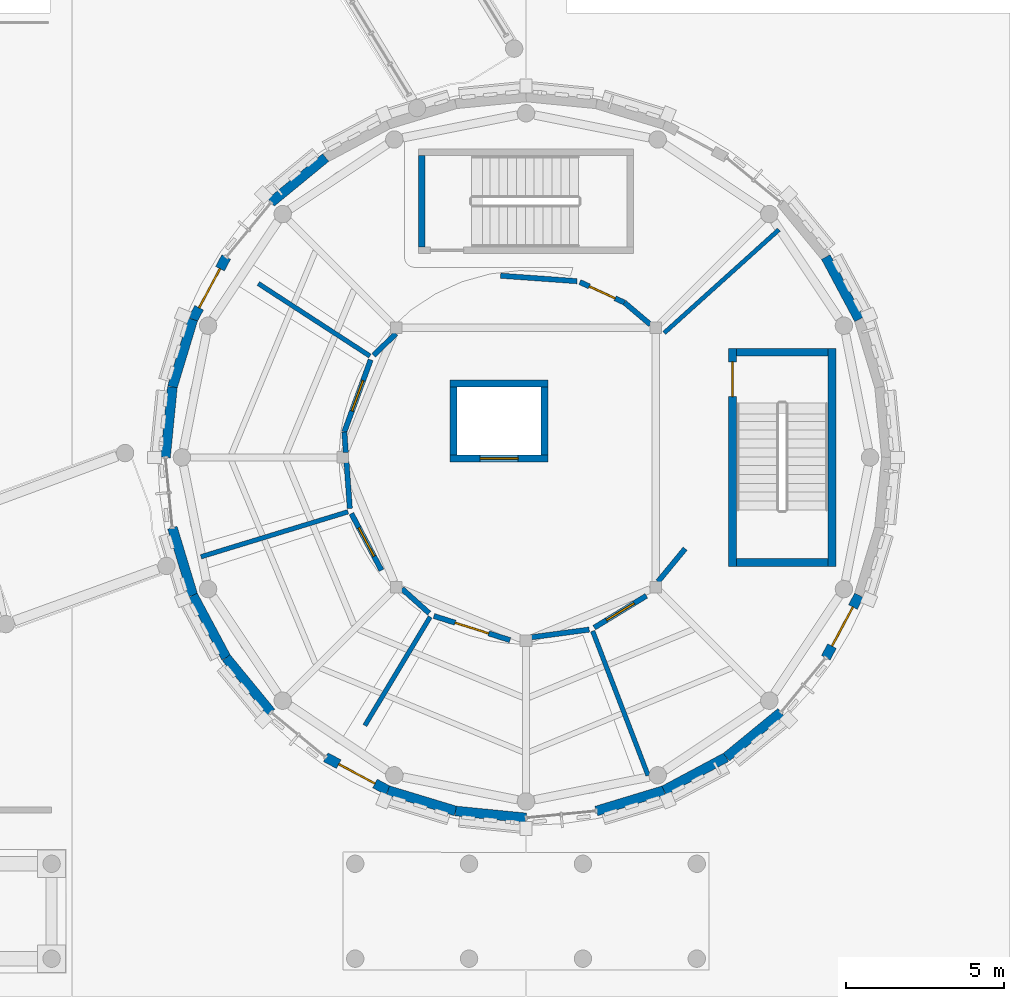
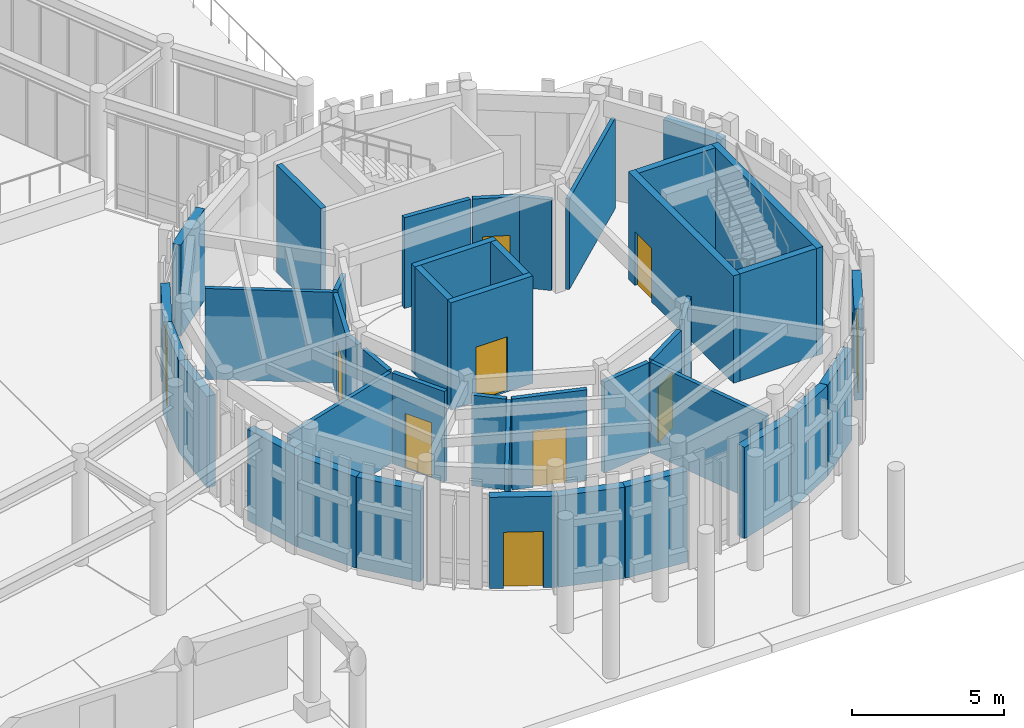
# One storey, part 53 of 94: 42 walls, 10 doors, 10 openings.
"""IFC4 building model written with IfcOpenShell, lengths in metres."""

from ifc_helpers import new_model, si_unit, direction, frame, frame_2d, origin, place, context, subcontext, project, spatial, rectangle, extrude, material, layer, layer_set, type_object, element, fill, save


model = new_model("IFC4")

# Units and contexts
model_context = context("Model", 3, precision=1e-05, world=origin(), true_north=direction((0.0, 1.0)))
body_context = subcontext(model_context, "Body", "Model", "MODEL_VIEW")
ifc_project = project(units=[si_unit("LENGTHUNIT", "METRE"), si_unit("AREAUNIT", "SQUARE_METRE"), si_unit("VOLUMEUNIT", "CUBIC_METRE"), si_unit("PLANEANGLEUNIT", "RADIAN"), si_unit("MASSUNIT", "GRAM", prefix="KILO")], contexts=[model_context])

# Site, building, storey
site_placement = place(None, origin())
site = spatial("IfcSite", under=ifc_project, at=site_placement, CompositionType="ELEMENT")
building_placement = place(site_placement, origin())
building = spatial("IfcBuilding", under=site, at=building_placement, Name="Aldenvaro Health Centre", CompositionType="ELEMENT")
storey_placement = place(building_placement, origin())
storey = spatial("IfcBuildingStorey", under=building, at=storey_placement, Name="L00", CompositionType="ELEMENT", Elevation=0.0)

# Walls
ifc_material_1 = material(Name="Gypsum Stud Acoustic Assembly")
ifc_layer_1 = layer(ifc_material_1, 0.14501953125, Name="Gypsum Stud Acoustic Assembly")
ifc_layer_set_1 = layer_set([ifc_layer_1], Name="Gypsum Stud Acoustic Assembly")
wall_type_1 = type_object("IfcWallType", Name="WL-CLN-145", PredefinedType="PARTITIONING", material=ifc_layer_set_1)
wall_1_placement = place(storey_placement, frame((149.56591796875, 21.7041015625, 0.0), z_axis=(0.0, 0.0, 1.0), x_axis=(-0.838631802298, 0.544698724227, 0.0)))
element("IfcWall", 1, at=wall_1_placement, inside=storey, type_object=wall_type_1, Name="D6 L00 clinical partition 2.1", PredefinedType="PARTITIONING", context=body_context, shape_type="SweptSolid", body=[
    extrude(rectangle(XDim=4.207763671875, YDim=0.14501953125, at=frame_2d((2.10400390625, 0.0))), origin(), (0.0, 0.0, 1.0), 3.634033203125),
])
wall_2_placement = place(storey_placement, frame((148.8740234375, 16.780029296875, 0.0), z_axis=(0.0, 0.0, 1.0), x_axis=(-0.956297390361, -0.292395795436, 0.0)))
element("IfcWall", 2, at=wall_2_placement, inside=storey, type_object=wall_type_1, Name="D6 L00 clinical partition 3.1", PredefinedType="PARTITIONING", context=body_context, shape_type="SweptSolid", body=[
    extrude(rectangle(XDim=4.86376953125, YDim=0.14501953125, at=frame_2d((2.431884765625, 0.0))), origin(), (0.0, 0.0, 1.0), 3.634033203125),
])
wall_3_placement = place(storey_placement, frame((151.469970703125, 13.45703125, 0.0), z_axis=(0.0, 0.0, 1.0), x_axis=(-0.515033199945, -0.857170229858, 0.0)))
element("IfcWall", 3, at=wall_3_placement, inside=storey, type_object=wall_type_1, Name="D6 L00 clinical partition 4.1", PredefinedType="PARTITIONING", context=body_context, shape_type="SweptSolid", body=[
    extrude(rectangle(XDim=4.00732421875, YDim=0.14501953125, at=frame_2d((2.003662109375, 0.0))), origin(), (0.0, 0.0, 1.0), 3.634033203125),
])
wall_4_placement = place(storey_placement, frame((156.60791015625, 13.008056640625, 0.0), z_axis=(0.0, 0.0, 1.0), x_axis=(0.358370363431, -0.93357949989, 0.0)))
element("IfcWall", 4, at=wall_4_placement, inside=storey, type_object=wall_type_1, Name="D6 L00 clinical partition 5.1", PredefinedType="PARTITIONING", context=body_context, shape_type="SweptSolid", body=[
    extrude(rectangle(XDim=4.89208984375, YDim=0.14501953125, at=frame_2d((2.446044921875, 0.0))), origin(), (0.0, 0.0, 1.0), 3.634033203125),
])
ifc_layer_2 = layer(ifc_material_1, 0.1650390625, Name="Gypsum Stud Acoustic Assembly")
ifc_layer_set_2 = layer_set([ifc_layer_2], Name="Gypsum Stud Acoustic Assembly")
wall_type_2 = type_object("IfcWallType", Name="WL-COR-165", PredefinedType="PARTITIONING", material=ifc_layer_set_2)
wall_5_placement = place(storey_placement, frame((156.113037109375, 24.071044921875, 0.0), z_axis=(0.0, 0.0, 1.0), x_axis=(-0.997448452595, 0.071390366401, 0.0)))
element("IfcWall", 5, at=wall_5_placement, inside=storey, type_object=wall_type_2, Name="D6 L00 corridor wall 01.1", PredefinedType="PARTITIONING", context=body_context, shape_type="SweptSolid", body=[
    extrude(rectangle(XDim=2.421142578125, YDim=0.1650390625, at=frame_2d((1.21044921875, 0.0))), origin(), (0.0, 0.0, 1.0), 3.634033203125),
])
wall_6_placement = place(storey_placement, frame((150.387939453125, 22.4140625, 0.0), z_axis=(0.0, 0.0, 1.0), x_axis=(-0.718088711181, -0.69595158084, 0.0)))
element("IfcWall", 6, at=wall_6_placement, inside=storey, type_object=wall_type_2, Name="D6 L00 corridor wall 01.2", PredefinedType="PARTITIONING", context=body_context, shape_type="SweptSolid", body=[
    extrude(rectangle(XDim=0.9814453125, YDim=0.1650390625, at=frame_2d((0.49072265625, 0.0))), origin(), (0.0, 0.0, 1.0), 3.634033203125),
])

# Wall, opening, door
wall_7_placement = place(storey_placement, frame((149.589111328125, 21.5859375, 0.0), z_axis=(0.0, 0.0, 1.0), x_axis=(-0.343293663048, -0.93922811974, 0.0)))
wall_7 = element("IfcWall", 7, at=wall_7_placement, inside=storey, type_object=wall_type_2, Name="D6 L00 corridor wall 02.1", PredefinedType="PARTITIONING", context=body_context, shape_type="SweptSolid", body=[
    extrude(rectangle(XDim=2.426513671875, YDim=0.1650390625, at=frame_2d((1.21337890625, 0.0))), origin(), (0.0, 0.0, 1.0), 3.634033203125),
])
opening_1_placement = place(wall_7_placement, frame((0.702880859375, 0.0, 0.0)))
opening_1 = element("IfcOpeningElement", 8, at=opening_1_placement, cuts=wall_7, Name="Opening HD-01", PredefinedType="OPENING", context=body_context, shape_type="SweptSolid", body=[
    extrude(rectangle(XDim=1.02001953125, YDim=2.199951171875, at=frame_2d((0.510009765625, 1.10009765625))), frame((0.0, 0.092529296875, 0.0), z_axis=(0.0, -1.0, 0.0), x_axis=(1.0, 0.0, 0.0)), (0.0, 0.0, 1.0), 0.18505859375),
])
ifc_material_2 = material(Name="Security Pharmacy Vault Door")
door_type_1 = type_object("IfcDoorType", Name="DR-PHM-01", OperationType="NOTDEFINED", PredefinedType="DOOR", material=ifc_material_2)
door_1_placement = place(opening_1_placement, origin())
door_1 = element("IfcDoor", 9, at=door_1_placement, inside=storey, type_object=door_type_1, Name="USP 797 Compounding Cleanroom Door", OperationType="SINGLE_SWING_LEFT", OverallHeight=2.199951171875, OverallWidth=1.02001953125, PredefinedType="DOOR", context=body_context, shape_type="SweptSolid", body=[
    extrude(rectangle(XDim=1.02001953125, YDim=2.199951171875, at=frame_2d((0.510009765625, 1.10009765625))), frame((0.0, 0.02490234375, 0.0), z_axis=(0.0, -1.0, 0.0), x_axis=(1.0, 0.0, 0.0)), (0.0, 0.0, 1.0), 0.050048828125),
])
fill(opening_1, door_1)

# Walls
wall_8_placement = place(storey_placement, frame((148.756103515625, 19.306884765625, 0.0), z_axis=(0.0, 0.0, 1.0), x_axis=(0.071939342489, -0.997409008884, 0.0)))
element("IfcWall", 10, at=wall_8_placement, inside=storey, type_object=wall_type_2, Name="D6 L00 corridor wall 02.2", PredefinedType="PARTITIONING", context=body_context, shape_type="SweptSolid", body=[
    extrude(rectangle(XDim=0.651611328125, YDim=0.1650390625, at=frame_2d((0.32568359375, 0.0))), origin(), (0.0, 0.0, 1.0), 3.634033203125),
])
wall_9_placement = place(storey_placement, frame((148.823974609375, 18.360107421875, 0.0), z_axis=(0.0, 0.0, 1.0), x_axis=(0.071082579823, -0.997470434071, 0.0)))
element("IfcWall", 11, at=wall_9_placement, inside=storey, type_object=wall_type_2, Name="D6 L00 corridor wall 02.3", PredefinedType="PARTITIONING", context=body_context, shape_type="SweptSolid", body=[
    extrude(rectangle(XDim=1.476806640625, YDim=0.1650390625, at=frame_2d((0.73828125, 0.0))), origin(), (0.0, 0.0, 1.0), 3.634033203125),
])

# Wall, opening, door
wall_10_placement = place(storey_placement, frame((148.97900390625, 16.721923828125, 0.0), z_axis=(0.0, 0.0, 1.0), x_axis=(0.468545306674, -0.883439469117, 0.0)))
wall_10 = element("IfcWall", 12, at=wall_10_placement, inside=storey, type_object=wall_type_2, Name="D6 L00 corridor wall 03.1", PredefinedType="PARTITIONING", context=body_context, shape_type="SweptSolid", body=[
    extrude(rectangle(XDim=2.029541015625, YDim=0.1650390625, at=frame_2d((1.0146484375, 0.0))), origin(), (0.0, 0.0, 1.0), 3.634033203125),
])
opening_2_placement = place(wall_10_placement, frame((0.5048828125, 0.0, 0.0)))
opening_2 = element("IfcOpeningElement", 13, at=opening_2_placement, cuts=wall_10, Name="Opening HD-01", PredefinedType="OPENING", context=body_context, shape_type="SweptSolid", body=[
    extrude(rectangle(XDim=1.02001953125, YDim=2.199951171875, at=frame_2d((0.510009765625, 1.10009765625))), frame((0.0, 0.092529296875, 0.0), z_axis=(0.0, -1.0, 0.0), x_axis=(1.0, 0.0, 0.0)), (0.0, 0.0, 1.0), 0.18505859375),
])
door_2_placement = place(opening_2_placement, origin())
door_2 = element("IfcDoor", 14, at=door_2_placement, inside=storey, type_object=door_type_1, Name="Medication Therapy Consulting Booth Door", OperationType="SINGLE_SWING_RIGHT", OverallHeight=2.199951171875, OverallWidth=1.02001953125, PredefinedType="DOOR", context=body_context, shape_type="SweptSolid", body=[
    extrude(rectangle(XDim=1.02001953125, YDim=2.199951171875, at=frame_2d((0.510009765625, 1.10009765625))), frame((0.0, 0.02490234375, 0.0), z_axis=(0.0, -1.0, 0.0), x_axis=(1.0, 0.0, 0.0)), (0.0, 0.0, 1.0), 0.050048828125),
])
fill(opening_2, door_2)

# Wall
wall_11_placement = place(storey_placement, frame((150.5791015625, 14.345947265625, 0.0), z_axis=(0.0, 0.0, 1.0), x_axis=(0.743692994732, -0.668521300773, 0.0)))
element("IfcWall", 15, at=wall_11_placement, inside=storey, type_object=wall_type_2, Name="D6 L00 corridor wall 03.2", PredefinedType="PARTITIONING", context=body_context, shape_type="SweptSolid", body=[
    extrude(rectangle(XDim=1.15625, YDim=0.1650390625, at=frame_2d((0.578125, 0.0))), origin(), (0.0, 0.0, 1.0), 3.634033203125),
])

# Wall, opening, door
wall_12_placement = place(storey_placement, frame((151.5869140625, 13.485107421875, 0.0), z_axis=(0.0, 0.0, 1.0), x_axis=(0.953231317115, -0.302241717953, 0.0)))
wall_12 = element("IfcWall", 16, at=wall_12_placement, inside=storey, type_object=wall_type_2, Name="D6 L00 corridor wall 04.1", PredefinedType="PARTITIONING", context=body_context, shape_type="SweptSolid", body=[
    extrude(rectangle(XDim=2.525146484375, YDim=0.1650390625, at=frame_2d((1.2626953125, 0.0))), origin(), (0.0, 0.0, 1.0), 3.634033203125),
])
opening_3_placement = place(wall_12_placement, frame((0.7080078125, 0.0, 0.0)))
opening_3 = element("IfcOpeningElement", 17, at=opening_3_placement, cuts=wall_12, Name="Opening D-23", PredefinedType="OPENING", context=body_context, shape_type="SweptSolid", body=[
    extrude(rectangle(XDim=1.110107421875, YDim=2.25, at=frame_2d((0.55517578125, 1.125))), frame((0.0, 0.092529296875, 0.0), z_axis=(0.0, -1.0, 0.0), x_axis=(1.0, 0.0, 0.0)), (0.0, 0.0, 1.0), 0.18505859375),
])
ifc_material_3 = material(Name="Exam Suite Timber Door", Category="wood")
door_type_2 = type_object("IfcDoorType", Name="DR-CLN-23", OperationType="NOTDEFINED", PredefinedType="DOOR", material=ifc_material_3)
door_3_placement = place(opening_3_placement, origin())
door_3 = element("IfcDoor", 18, at=door_3_placement, inside=storey, type_object=door_type_2, Name="Pharmacy Waiting Lounge Door", OperationType="SINGLE_SWING_LEFT", OverallHeight=2.25, OverallWidth=1.110107421875, PredefinedType="DOOR", context=body_context, shape_type="SweptSolid", body=[
    extrude(rectangle(XDim=1.110107421875, YDim=2.25, at=frame_2d((0.55517578125, 1.125))), frame((0.0, 0.02490234375, 0.0), z_axis=(0.0, -1.0, 0.0), x_axis=(1.0, 0.0, 0.0)), (0.0, 0.0, 1.0), 0.050048828125),
])
fill(opening_3, door_3)

# Wall
wall_13_placement = place(storey_placement, frame((154.652099609375, 12.81005859375, 0.0), z_axis=(0.0, 0.0, 1.0), x_axis=(0.991315849542, 0.13150241993, 0.0)))
element("IfcWall", 19, at=wall_13_placement, inside=storey, type_object=wall_type_2, Name="D6 L00 corridor wall 04.2", PredefinedType="PARTITIONING", context=body_context, shape_type="SweptSolid", body=[
    extrude(rectangle(XDim=1.862060546875, YDim=0.1650390625, at=frame_2d((0.93115234375, 0.0))), origin(), (0.0, 0.0, 1.0), 3.634033203125),
])

# Wall, opening, door
wall_14_placement = place(storey_placement, frame((156.658935546875, 13.116943359375, 0.0), z_axis=(0.0, 0.0, 1.0), x_axis=(0.853231776627, 0.521531912115, 0.0)))
wall_14 = element("IfcWall", 20, at=wall_14_placement, inside=storey, type_object=wall_type_2, Name="D6 L00 corridor wall 05.1", PredefinedType="PARTITIONING", context=body_context, shape_type="SweptSolid", body=[
    extrude(rectangle(XDim=1.92919921875, YDim=0.1650390625, at=frame_2d((0.964599609375, 0.0))), origin(), (0.0, 0.0, 1.0), 3.634033203125),
])
opening_4_placement = place(wall_14_placement, frame((0.455078125, 0.0, 0.0)))
opening_4 = element("IfcOpeningElement", 21, at=opening_4_placement, cuts=wall_14, Name="Opening HD-01", PredefinedType="OPENING", context=body_context, shape_type="SweptSolid", body=[
    extrude(rectangle(XDim=1.02001953125, YDim=2.199951171875, at=frame_2d((0.510009765625, 1.10009765625))), frame((0.0, 0.092529296875, 0.0), z_axis=(0.0, -1.0, 0.0), x_axis=(1.0, 0.0, 0.0)), (0.0, 0.0, 1.0), 0.18505859375),
])
door_4_placement = place(opening_4_placement, origin())
door_4 = element("IfcDoor", 22, at=door_4_placement, inside=storey, type_object=door_type_1, Name="Controlled Substance Safe Room Door", OperationType="SINGLE_SWING_RIGHT", OverallHeight=2.199951171875, OverallWidth=1.02001953125, PredefinedType="DOOR", context=body_context, shape_type="SweptSolid", body=[
    extrude(rectangle(XDim=1.02001953125, YDim=2.199951171875, at=frame_2d((0.510009765625, 1.10009765625))), frame((0.0, 0.02490234375, 0.0), z_axis=(0.0, -1.0, 0.0), x_axis=(1.0, 0.0, 0.0)), (0.0, 0.0, 1.0), 0.050048828125),
])
fill(opening_4, door_4)

# Walls
wall_15_placement = place(storey_placement, frame((158.674072265625, 14.572021484375, 0.0), z_axis=(0.0, 0.0, 1.0), x_axis=(0.635542225464, 0.772066110934, 0.0)))
element("IfcWall", 23, at=wall_15_placement, inside=storey, type_object=wall_type_2, Name="D6 L00 corridor wall 05.2", PredefinedType="PARTITIONING", context=body_context, shape_type="SweptSolid", body=[
    extrude(rectangle(XDim=1.348388671875, YDim=0.1650390625, at=frame_2d((0.67431640625, 0.0))), origin(), (0.0, 0.0, 1.0), 3.634033203125),
])
wall_16_placement = place(storey_placement, frame((158.43896484375, 22.696044921875, 0.0), z_axis=(0.0, 0.0, 1.0), x_axis=(-0.763540910225, 0.645759458633, 0.0)))
element("IfcWall", 24, at=wall_16_placement, inside=storey, type_object=wall_type_2, Name="D6 L00 corridor wall 07.1", PredefinedType="PARTITIONING", context=body_context, shape_type="SweptSolid", body=[
    extrude(rectangle(XDim=1.077880859375, YDim=0.1650390625, at=frame_2d((0.5390625, 0.0))), origin(), (0.0, 0.0, 1.0), 3.634033203125),
])

# Wall, opening, door
wall_17_placement = place(storey_placement, frame((157.615966796875, 23.39208984375, 0.0), z_axis=(0.0, 0.0, 1.0), x_axis=(-0.908042017689, 0.418879092472, 0.0)))
wall_17 = element("IfcWall", 25, at=wall_17_placement, inside=storey, type_object=wall_type_2, Name="D6 L00 corridor wall 07.2", PredefinedType="PARTITIONING", context=body_context, shape_type="SweptSolid", body=[
    extrude(rectangle(XDim=1.55615234375, YDim=0.1650390625, at=frame_2d((0.778076171875, 0.0))), origin(), (0.0, 0.0, 1.0), 3.634033203125),
])
opening_5_placement = place(wall_17_placement, frame((0.327880859375, 0.0, 0.0)))
opening_5 = element("IfcOpeningElement", 26, at=opening_5_placement, cuts=wall_17, Name="Opening WD-01", PredefinedType="OPENING", context=body_context, shape_type="SweptSolid", body=[
    extrude(rectangle(XDim=0.89990234375, YDim=2.10009765625, at=frame_2d((0.449951171875, 1.050048828125))), frame((0.0, 0.092529296875, 0.0), z_axis=(0.0, -1.0, 0.0), x_axis=(1.0, 0.0, 0.0)), (0.0, 0.0, 1.0), 0.18505859375),
])
ifc_material_4 = material(Name="Moisture-Resistant Laminate Door")
door_type_3 = type_object("IfcDoorType", Name="DR-WC-01", OperationType="NOTDEFINED", PredefinedType="DOOR", material=ifc_material_4)
door_5_placement = place(opening_5_placement, origin())
door_5 = element("IfcDoor", 27, at=door_5_placement, inside=storey, type_object=door_type_3, Name="Female Public WC Door", OperationType="SINGLE_SWING_LEFT", OverallHeight=2.10009765625, OverallWidth=0.89990234375, PredefinedType="DOOR", context=body_context, shape_type="SweptSolid", body=[
    extrude(rectangle(XDim=0.89990234375, YDim=2.10009765625, at=frame_2d((0.449951171875, 1.050048828125))), frame((0.0, 0.02490234375, 0.0), z_axis=(0.0, -1.0, 0.0), x_axis=(1.0, 0.0, 0.0)), (0.0, 0.0, 1.0), 0.050048828125),
])
fill(opening_5, door_5)

ifc_material_5 = material(Name="Concrete f'c 35 MPa", Category="concrete")
ifc_layer_3 = layer(ifc_material_5, 0.31005859375, Name="Concrete f'c 35 MPa", Category="concrete")
ifc_layer_set_3 = layer_set([ifc_layer_3], Name="Concrete f'c 35 MPa")
wall_type_3 = type_object("IfcWallType", Name="WL-EXT-310", PredefinedType="SOLIDWALL", material=ifc_layer_set_3)
wall_18_placement = place(storey_placement, frame((165.031982421875, 14.136962890625, 0.0), z_axis=(0.0, 0.0, 1.0), x_axis=(-0.471217561446, -0.882017012185, 0.0)))
wall_18 = element("IfcWall", 28, at=wall_18_placement, inside=storey, type_object=wall_type_3, Name="D6 L00 exterior wall 03", PredefinedType="SOLIDWALL", context=body_context, shape_type="SweptSolid", body=[
    extrude(rectangle(XDim=2.234619140625, YDim=0.31005859375, at=frame_2d((1.1171875, 0.0))), origin(), (0.0, 0.0, 1.0), 3.658935546875),
])
opening_6_placement = place(wall_18_placement, frame((0.4169921875, 0.0, 0.0)))
opening_6 = element("IfcOpeningElement", 29, at=opening_6_placement, cuts=wall_18, Name="Opening ED-05", PredefinedType="OPENING", context=body_context, shape_type="SweptSolid", body=[
    extrude(rectangle(XDim=1.39990234375, YDim=2.300048828125, at=frame_2d((0.699951171875, 1.14990234375))), frame((0.0, 0.1650390625, 0.0), z_axis=(0.0, -1.0, 0.0), x_axis=(1.0, 0.0, 0.0)), (0.0, 0.0, 1.0), 0.330078125),
])
ifc_material_6 = material(Name="Thermally Broken Glazed Aluminium", Category="aluminium")
door_type_4 = type_object("IfcDoorType", Name="DR-GDN-140", OperationType="NOTDEFINED", PredefinedType="DOOR", material=ifc_material_6)
door_6_placement = place(opening_6_placement, origin())
door_6 = element("IfcDoor", 30, at=door_6_placement, inside=storey, type_object=door_type_4, Name="Pedestrian Final Exit Door 19", OperationType="SINGLE_SWING_LEFT", OverallHeight=2.300048828125, OverallWidth=1.39990234375, PredefinedType="DOOR", context=body_context, shape_type="SweptSolid", body=[
    extrude(rectangle(XDim=1.39990234375, YDim=2.300048828125, at=frame_2d((0.699951171875, 1.14990234375))), frame((0.0, 0.02490234375, 0.0), z_axis=(0.0, -1.0, 0.0), x_axis=(1.0, 0.0, 0.0)), (0.0, 0.0, 1.0), 0.050048828125),
])
fill(opening_6, door_6)

# Walls
for number, where, z_axis, x_axis, name in (
    (31, (162.56103515625, 10.43896484375, 0.0), (0.0, 0.0, 1.0), (-0.772875513354, -0.63455767339, 0.0), "D6 L00 exterior wall 05"),
    (32, (160.833984375, 9.02099609375, 0.0), (0.0, 0.0, 1.0), (-0.882017012185, -0.471217561446, 0.0), "D6 L00 exterior wall 06"),
):
    element("IfcWall", number, at=place(storey_placement, frame(where, z_axis=z_axis, x_axis=x_axis)), inside=storey, type_object=wall_type_3, Name=name, PredefinedType="SOLIDWALL", context=body_context, shape_type="SweptSolid", body=[
        extrude(rectangle(XDim=2.234619140625, YDim=0.31005859375, at=frame_2d((1.1171875, 0.0))), origin(), (0.0, 0.0, 1.0), 3.658935546875),
    ])
wall_19_placement = place(storey_placement, frame((158.863037109375, 7.968017578125, 0.0), z_axis=(0.0, 0.0, 1.0), x_axis=(-0.956928814218, -0.290322655883, 0.0)))
element("IfcWall", 33, at=wall_19_placement, inside=storey, type_object=wall_type_3, Name="D6 L00 exterior wall 07", PredefinedType="SOLIDWALL", context=body_context, shape_type="SweptSolid", body=[
    extrude(rectangle(XDim=2.235107421875, YDim=0.31005859375, at=frame_2d((1.11767578125, 0.0))), origin(), (0.0, 0.0, 1.0), 3.658935546875),
])
wall_20_placement = place(storey_placement, frame((154.5, 7.10009765625, 0.0), z_axis=(0.0, 0.0, 1.0), x_axis=(-0.995187461503, 0.097989369151, 0.0)))
element("IfcWall", 34, at=wall_20_placement, inside=storey, type_object=wall_type_3, Name="D6 L00 exterior wall 09", PredefinedType="SOLIDWALL", context=body_context, shape_type="SweptSolid", body=[
    extrude(rectangle(XDim=2.23486328125, YDim=0.31005859375, at=frame_2d((1.117431640625, 0.0))), origin(), (0.0, 0.0, 1.0), 3.658935546875),
])
wall_21_placement = place(storey_placement, frame((152.27587890625, 7.319091796875, 0.0), z_axis=(0.0, 0.0, 1.0), x_axis=(-0.956928814218, 0.290322655883, 0.0)))
element("IfcWall", 35, at=wall_21_placement, inside=storey, type_object=wall_type_3, Name="D6 L00 exterior wall 10", PredefinedType="SOLIDWALL", context=body_context, shape_type="SweptSolid", body=[
    extrude(rectangle(XDim=2.235107421875, YDim=0.31005859375, at=frame_2d((1.11767578125, 0.0))), origin(), (0.0, 0.0, 1.0), 3.658935546875),
])

# Wall, opening, door
wall_22_placement = place(storey_placement, frame((150.136962890625, 7.968017578125, 0.0), z_axis=(0.0, 0.0, 1.0), x_axis=(-0.882017012185, 0.471217561446, 0.0)))
wall_22 = element("IfcWall", 36, at=wall_22_placement, inside=storey, type_object=wall_type_3, Name="D6 L00 exterior wall 11", PredefinedType="SOLIDWALL", context=body_context, shape_type="SweptSolid", body=[
    extrude(rectangle(XDim=2.234619140625, YDim=0.31005859375, at=frame_2d((1.1171875, 0.0))), origin(), (0.0, 0.0, 1.0), 3.658935546875),
])
opening_7_placement = place(wall_22_placement, frame((0.467041015625, 0.0, 0.0)))
opening_7 = element("IfcOpeningElement", 37, at=opening_7_placement, cuts=wall_22, Name="Opening ED-06", PredefinedType="OPENING", context=body_context, shape_type="SweptSolid", body=[
    extrude(rectangle(XDim=1.300048828125, YDim=2.25, at=frame_2d((0.64990234375, 1.125))), frame((0.0, 0.1650390625, 0.0), z_axis=(0.0, -1.0, 0.0), x_axis=(1.0, 0.0, 0.0)), (0.0, 0.0, 1.0), 0.330078125),
])
door_type_5 = type_object("IfcDoorType", Name="DR-GDN-130", OperationType="NOTDEFINED", PredefinedType="DOOR", material=ifc_material_6)
door_7_placement = place(opening_7_placement, origin())
door_7 = element("IfcDoor", 38, at=door_7_placement, inside=storey, type_object=door_type_5, Name="Pedestrian Final Exit Door 20", OperationType="SINGLE_SWING_RIGHT", OverallHeight=2.25, OverallWidth=1.300048828125, PredefinedType="DOOR", context=body_context, shape_type="SweptSolid", body=[
    extrude(rectangle(XDim=1.300048828125, YDim=2.25, at=frame_2d((0.64990234375, 1.125))), frame((0.0, 0.02490234375, 0.0), z_axis=(0.0, -1.0, 0.0), x_axis=(1.0, 0.0, 0.0)), (0.0, 0.0, 1.0), 0.050048828125),
])
fill(opening_7, door_7)

# Walls
for number, where, z_axis, x_axis, name in (
    (39, (146.43896484375, 10.43896484375, 0.0), (0.0, 0.0, 1.0), (-0.63455767339, 0.772875513354, 0.0), "D6 L00 exterior wall 13"),
    (40, (145.02099609375, 12.166015625, 0.0), (0.0, 0.0, 1.0), (-0.471217561446, 0.882017012185, 0.0), "D6 L00 exterior wall 14"),
):
    element("IfcWall", number, at=place(storey_placement, frame(where, z_axis=z_axis, x_axis=x_axis)), inside=storey, type_object=wall_type_3, Name=name, PredefinedType="SOLIDWALL", context=body_context, shape_type="SweptSolid", body=[
        extrude(rectangle(XDim=2.234619140625, YDim=0.31005859375, at=frame_2d((1.1171875, 0.0))), origin(), (0.0, 0.0, 1.0), 3.658935546875),
    ])
wall_23_placement = place(storey_placement, frame((143.968017578125, 14.136962890625, 0.0), z_axis=(0.0, 0.0, 1.0), x_axis=(-0.290322655883, 0.956928814218, 0.0)))
element("IfcWall", 41, at=wall_23_placement, inside=storey, type_object=wall_type_3, Name="D6 L00 exterior wall 15", PredefinedType="SOLIDWALL", context=body_context, shape_type="SweptSolid", body=[
    extrude(rectangle(XDim=2.235107421875, YDim=0.31005859375, at=frame_2d((1.11767578125, 0.0))), origin(), (0.0, 0.0, 1.0), 3.658935546875),
])
wall_24_placement = place(storey_placement, frame((143.10009765625, 18.5, 0.0), z_axis=(0.0, 0.0, 1.0), x_axis=(0.097989369151, 0.995187461503, 0.0)))
element("IfcWall", 42, at=wall_24_placement, inside=storey, type_object=wall_type_3, Name="D6 L00 exterior wall 17", PredefinedType="SOLIDWALL", context=body_context, shape_type="SweptSolid", body=[
    extrude(rectangle(XDim=2.23486328125, YDim=0.31005859375, at=frame_2d((1.117431640625, 0.0))), origin(), (0.0, 0.0, 1.0), 3.658935546875),
])
wall_25_placement = place(storey_placement, frame((143.319091796875, 20.72412109375, 0.0), z_axis=(0.0, 0.0, 1.0), x_axis=(0.290322655883, 0.956928814218, 0.0)))
element("IfcWall", 43, at=wall_25_placement, inside=storey, type_object=wall_type_3, Name="D6 L00 exterior wall 18", PredefinedType="SOLIDWALL", context=body_context, shape_type="SweptSolid", body=[
    extrude(rectangle(XDim=2.235107421875, YDim=0.31005859375, at=frame_2d((1.11767578125, 0.0))), origin(), (0.0, 0.0, 1.0), 3.658935546875),
])

# Wall, opening, door
wall_26_placement = place(storey_placement, frame((143.968017578125, 22.863037109375, 0.0), z_axis=(0.0, 0.0, 1.0), x_axis=(0.471217561446, 0.882017012185, 0.0)))
wall_26 = element("IfcWall", 44, at=wall_26_placement, inside=storey, type_object=wall_type_3, Name="D6 L00 exterior wall 19", PredefinedType="SOLIDWALL", context=body_context, shape_type="SweptSolid", body=[
    extrude(rectangle(XDim=2.234619140625, YDim=0.31005859375, at=frame_2d((1.1171875, 0.0))), origin(), (0.0, 0.0, 1.0), 3.658935546875),
])
opening_8_placement = place(wall_26_placement, frame((0.4169921875, 0.0, 0.0)))
opening_8 = element("IfcOpeningElement", 45, at=opening_8_placement, cuts=wall_26, Name="Opening ED-05", PredefinedType="OPENING", context=body_context, shape_type="SweptSolid", body=[
    extrude(rectangle(XDim=1.39990234375, YDim=2.300048828125, at=frame_2d((0.699951171875, 1.14990234375))), frame((0.0, 0.1650390625, 0.0), z_axis=(0.0, -1.0, 0.0), x_axis=(1.0, 0.0, 0.0)), (0.0, 0.0, 1.0), 0.330078125),
])
door_8_placement = place(opening_8_placement, origin())
door_8 = element("IfcDoor", 46, at=door_8_placement, inside=storey, type_object=door_type_4, Name="Pedestrian Final Exit Door 21", OperationType="SINGLE_SWING_LEFT", OverallHeight=2.300048828125, OverallWidth=1.39990234375, PredefinedType="DOOR", context=body_context, shape_type="SweptSolid", body=[
    extrude(rectangle(XDim=1.39990234375, YDim=2.300048828125, at=frame_2d((0.699951171875, 1.14990234375))), frame((0.0, 0.02490234375, 0.0), z_axis=(0.0, -1.0, 0.0), x_axis=(1.0, 0.0, 0.0)), (0.0, 0.0, 1.0), 0.050048828125),
])
fill(opening_8, door_8)

# Walls
for number, where, z_axis, x_axis, name in (
    (47, (146.43896484375, 26.56103515625, 0.0), (0.0, 0.0, 1.0), (0.772875513354, 0.63455767339, 0.0), "D6 L00 exterior wall 21"),
    (48, (163.97900390625, 24.833984375, 0.0), (0.0, 0.0, 1.0), (0.471217561446, -0.882017012185, 0.0), "D6 L00 exterior wall 30"),
):
    element("IfcWall", number, at=place(storey_placement, frame(where, z_axis=z_axis, x_axis=x_axis)), inside=storey, type_object=wall_type_3, Name=name, PredefinedType="SOLIDWALL", context=body_context, shape_type="SweptSolid", body=[
        extrude(rectangle(XDim=2.234619140625, YDim=0.31005859375, at=frame_2d((1.1171875, 0.0))), origin(), (0.0, 0.0, 1.0), 3.658935546875),
    ])
ifc_material_7 = material(Name="Concrete f'c 40 MPa", Category="concrete")
ifc_layer_4 = layer(ifc_material_7, 0.199951171875, Name="Concrete f'c 40 MPa", Category="concrete")
ifc_layer_set_4 = layer_set([ifc_layer_4], Name="Concrete f'c 40 MPa")
wall_type_4 = type_object("IfcWallType", Name="WL-SHAFT-200", PredefinedType="SHEAR", material=ifc_layer_set_4)
wall_27_placement = place(storey_placement, frame((151.199951171875, 25.14990234375, 0.0), z_axis=(0.0, 0.0, 1.0), x_axis=(0.0, 1.0, 0.0)))
element("IfcWall", 49, at=wall_27_placement, inside=storey, type_object=wall_type_4, Name="ST-12 L00 side core wall L", PredefinedType="SHEAR", context=body_context, shape_type="SweptSolid", body=[
    extrude(rectangle(XDim=2.900146484375, YDim=0.199951171875, at=frame_2d((1.4501953125, 0.0))), origin(), (0.0, 0.0, 1.0), 4.304931640625),
])

# Wall, opening, door
ifc_layer_5 = layer(ifc_material_7, 0.22509765625, Name="Concrete f'c 40 MPa", Category="concrete")
ifc_layer_set_5 = layer_set([ifc_layer_5], Name="Concrete f'c 40 MPa")
wall_type_5 = type_object("IfcWallType", Name="WL-SHAFT-225", PredefinedType="SHEAR", material=ifc_layer_set_5)
wall_28_placement = place(storey_placement, frame((152.10009765625, 18.4619140625, 0.0), z_axis=(0.0, 0.0, 1.0), x_axis=(1.0, 0.0, 0.0)))
wall_28 = element("IfcWall", 50, at=wall_28_placement, inside=storey, type_object=wall_type_5, Name="LF-06 L00 lift shaft front wall", PredefinedType="SHEAR", context=body_context, shape_type="SweptSolid", body=[
    extrude(rectangle(XDim=3.099853515625, YDim=0.22509765625, at=frame_2d((1.5498046875, 0.0))), origin(), (0.0, 0.0, 1.0), 4.304931640625),
])
opening_9_placement = place(wall_28_placement, frame((0.949951171875, 0.0, 0.0)))
opening_9 = element("IfcOpeningElement", 51, at=opening_9_placement, cuts=wall_28, Name="Opening LD-01", PredefinedType="OPENING", context=body_context, shape_type="SweptSolid", body=[
    extrude(rectangle(XDim=1.199951171875, YDim=2.199951171875, at=frame_2d((0.60009765625, 1.10009765625))), frame((0.0, 0.12255859375, 0.0), z_axis=(0.0, -1.0, 0.0), x_axis=(1.0, 0.0, 0.0)), (0.0, 0.0, 1.0), 0.2451171875),
])
ifc_material_8 = material(Name="Stainless Steel Lift Landing Door", Category="steel")
door_type_6 = type_object("IfcDoorType", Name="DR-LIFT-120", OperationType="DOUBLE_DOOR_SLIDING", PredefinedType="DOOR", material=ifc_material_8)
door_9_placement = place(opening_9_placement, origin())
door_9 = element("IfcDoor", 52, at=door_9_placement, inside=storey, type_object=door_type_6, Name="Lift LF-06 L00 Sliding Landing Door", OperationType="DOUBLE_DOOR_SLIDING", OverallHeight=2.199951171875, OverallWidth=1.199951171875, PredefinedType="DOOR", context=body_context, shape_type="SweptSolid", body=[
    extrude(rectangle(XDim=1.199951171875, YDim=2.199951171875, at=frame_2d((0.60009765625, 1.10009765625))), frame((0.0, 0.02490234375, 0.0), z_axis=(0.0, -1.0, 0.0), x_axis=(1.0, 0.0, 0.0)), (0.0, 0.0, 1.0), 0.050048828125),
])
fill(opening_9, door_9)

# Walls
wall_29_placement = place(storey_placement, frame((152.10009765625, 20.8369140625, 0.0), z_axis=(0.0, 0.0, 1.0), x_axis=(1.0, 0.0, 0.0)))
element("IfcWall", 53, at=wall_29_placement, inside=storey, type_object=wall_type_5, Name="LF-06 L00 lift shaft rear wall", PredefinedType="SHEAR", context=body_context, shape_type="SweptSolid", body=[
    extrude(rectangle(XDim=3.099853515625, YDim=0.22509765625, at=frame_2d((1.5498046875, 0.0))), origin(), (0.0, 0.0, 1.0), 4.304931640625),
])
for number, where, z_axis, x_axis, name in (
    (54, (152.212890625, 18.574951171875, 0.0), (0.0, 0.0, 1.0), (0.0, 1.0, 0.0), "LF-06 L00 lift shaft side wall L"),
    (55, (155.087890625, 18.574951171875, 0.0), (0.0, 0.0, 1.0), (0.0, 1.0, 0.0), "LF-06 L00 lift shaft side wall R"),
):
    element("IfcWall", number, at=place(storey_placement, frame(where, z_axis=z_axis, x_axis=x_axis)), inside=storey, type_object=wall_type_5, Name=name, PredefinedType="SHEAR", context=body_context, shape_type="SweptSolid", body=[
        extrude(rectangle(XDim=2.150146484375, YDim=0.22509765625, at=frame_2d((1.0751953125, 0.0))), origin(), (0.0, 0.0, 1.0), 4.304931640625),
    ])

# Wall, opening, door
ifc_layer_6 = layer(ifc_material_7, 0.25, Name="Concrete f'c 40 MPa", Category="concrete")
ifc_layer_set_6 = layer_set([ifc_layer_6], Name="Concrete f'c 40 MPa")
wall_type_6 = type_object("IfcWallType", Name="WL-SHAFT-250", PredefinedType="SHEAR", material=ifc_layer_set_6)
wall_30_placement = place(storey_placement, frame((161.02490234375, 21.949951171875, 0.0), z_axis=(0.0, 0.0, 1.0), x_axis=(0.0, -1.0, 0.0)))
wall_30 = element("IfcWall", 56, at=wall_30_placement, inside=storey, type_object=wall_type_6, Name="ST-11 L00 inner core wall", PredefinedType="SHEAR", context=body_context, shape_type="SweptSolid", body=[
    extrude(rectangle(XDim=6.89990234375, YDim=0.25, at=frame_2d((3.449951171875, 0.0))), origin(), (0.0, 0.0, 1.0), 4.304931640625),
])
opening_10_placement = place(wall_30_placement, frame((0.429931640625, 0.0, 0.0)))
opening_10 = element("IfcOpeningElement", 57, at=opening_10_placement, cuts=wall_30, Name="Opening FD-01", PredefinedType="OPENING", context=body_context, shape_type="SweptSolid", body=[
    extrude(rectangle(XDim=1.10009765625, YDim=2.14990234375, at=frame_2d((0.550048828125, 1.074951171875))), frame((0.0, 0.135009765625, 0.0), z_axis=(0.0, -1.0, 0.0), x_axis=(1.0, 0.0, 0.0)), (0.0, 0.0, 1.0), 0.27001953125),
])
ifc_material_9 = material(Name="Fire-Rated Steel Door Assembly", Category="steel")
door_type_7 = type_object("IfcDoorType", Name="DR-STAIR-110", OperationType="NOTDEFINED", PredefinedType="DOOR", material=ifc_material_9)
door_10_placement = place(opening_10_placement, origin())
door_10 = element("IfcDoor", 58, at=door_10_placement, inside=storey, type_object=door_type_7, Name="ST-11 L00 fire stair door", OperationType="SINGLE_SWING_RIGHT", OverallHeight=2.14990234375, OverallWidth=1.10009765625, PredefinedType="DOOR", context=body_context, shape_type="SweptSolid", body=[
    extrude(rectangle(XDim=1.10009765625, YDim=2.14990234375, at=frame_2d((0.550048828125, 1.074951171875))), frame((0.0, 0.02490234375, 0.0), z_axis=(0.0, -1.0, 0.0), x_axis=(1.0, 0.0, 0.0)), (0.0, 0.0, 1.0), 0.050048828125),
])
fill(opening_10, door_10)

# Walls
wall_31_placement = place(storey_placement, frame((164.175048828125, 21.949951171875, 0.0), z_axis=(0.0, 0.0, 1.0), x_axis=(0.0, -1.0, 0.0)))
element("IfcWall", 59, at=wall_31_placement, inside=storey, type_object=wall_type_6, Name="ST-11 L00 far core wall", PredefinedType="SHEAR", context=body_context, shape_type="SweptSolid", body=[
    extrude(rectangle(XDim=6.89990234375, YDim=0.25, at=frame_2d((3.449951171875, 0.0))), origin(), (0.0, 0.0, 1.0), 4.304931640625),
])
for number, where, z_axis, x_axis, name in (
    (60, (161.14990234375, 21.824951171875, 0.0), (0.0, 0.0, 1.0), (1.0, 0.0, 0.0), "ST-11 L00 side core wall L"),
    (61, (161.14990234375, 15.175048828125, 0.0), (0.0, 0.0, 1.0), (1.0, 0.0, 0.0), "ST-11 L00 side core wall R"),
):
    element("IfcWall", number, at=place(storey_placement, frame(where, z_axis=z_axis, x_axis=x_axis)), inside=storey, type_object=wall_type_6, Name=name, PredefinedType="SHEAR", context=body_context, shape_type="SweptSolid", body=[
        extrude(rectangle(XDim=2.900146484375, YDim=0.25, at=frame_2d((1.4501953125, 0.0))), origin(), (0.0, 0.0, 1.0), 4.304931640625),
    ])
ifc_material_10 = material(Name="Moisture-Resistant Plumbing Stud Wall")
ifc_layer_7 = layer(ifc_material_10, 0.135009765625, Name="Moisture-Resistant Plumbing Stud Wall")
ifc_layer_set_7 = layer_set([ifc_layer_7], Name="Moisture-Resistant Plumbing Stud Wall")
wall_type_7 = type_object("IfcWallType", Name="WL-WET-135", PredefinedType="PLUMBINGWALL", material=ifc_layer_set_7)
wall_32_placement = place(storey_placement, frame((158.8720703125, 22.43603515625, 0.0), z_axis=(0.0, 0.0, 1.0), x_axis=(0.743070024966, 0.669213671406, 0.0)))
element("IfcWall", 62, at=wall_32_placement, inside=storey, type_object=wall_type_7, Name="D6 L00 clinical partition 7.1", PredefinedType="PLUMBINGWALL", context=body_context, shape_type="SweptSolid", body=[
    extrude(rectangle(XDim=4.875732421875, YDim=0.135009765625, at=frame_2d((2.43798828125, 0.0))), origin(), (0.0, 0.0, 1.0), 3.634033203125),
])

save(model, "model.ifc")
